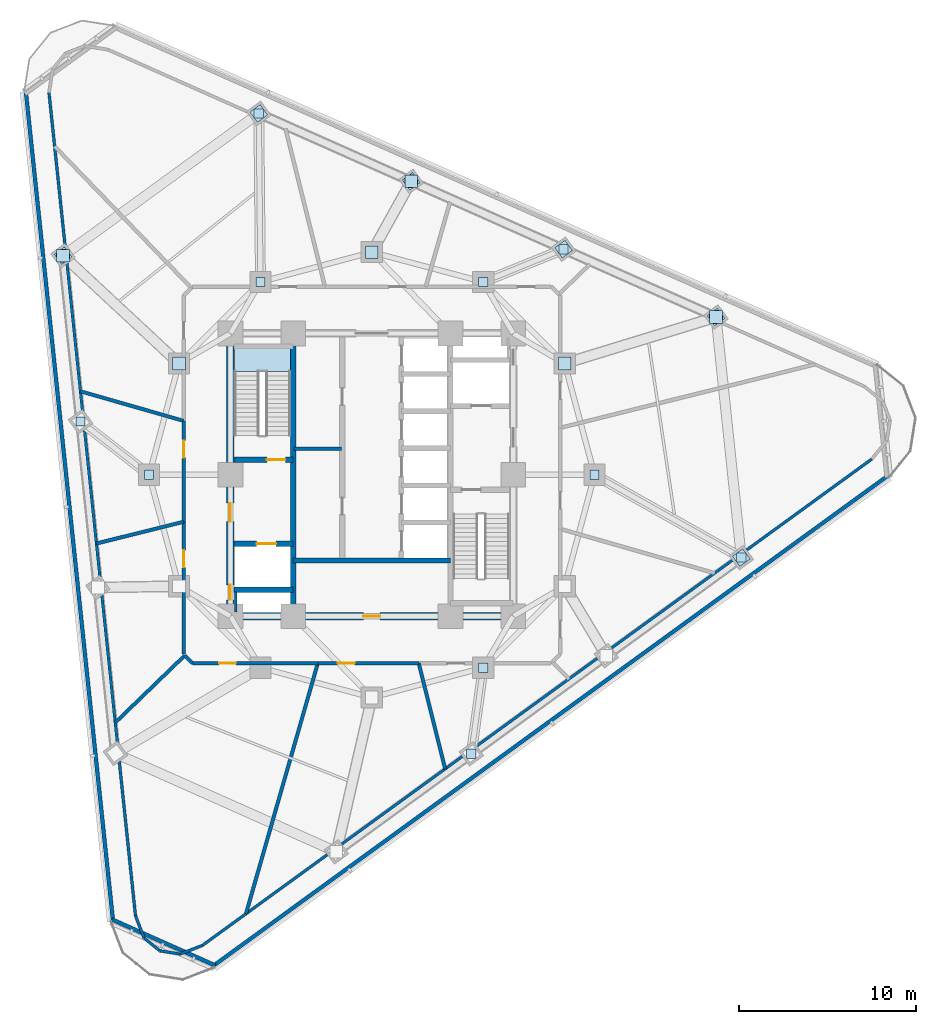
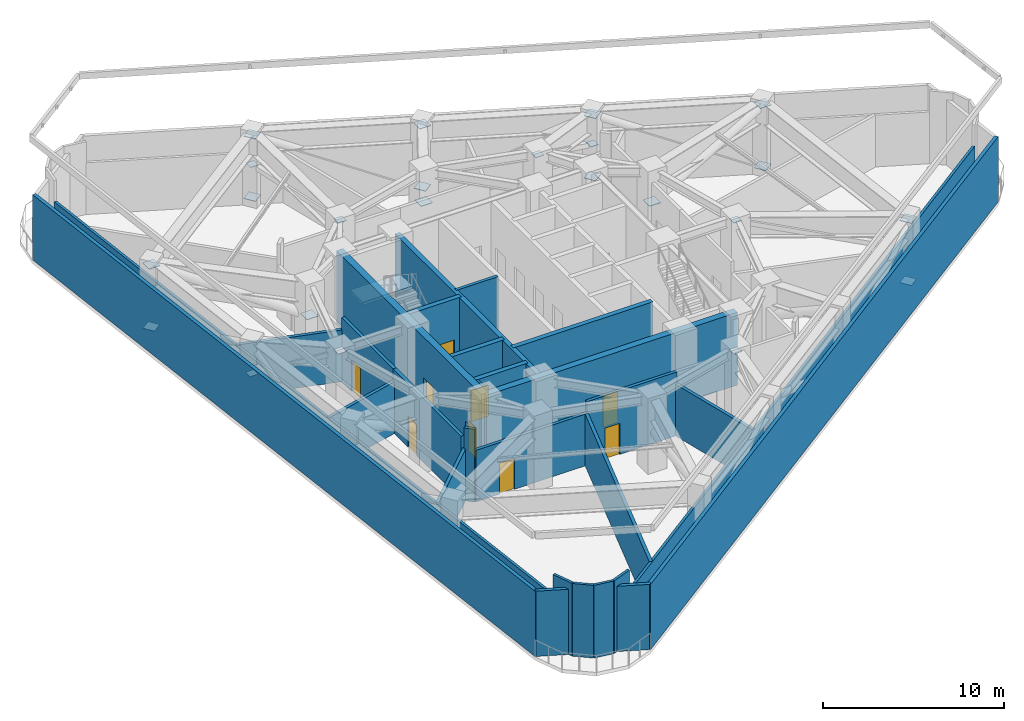
# One storey, part 3 of 10: 28 walls, 25 plates, 9 doors, 1 slab, 9 openings, 1 element without a shape of its own.
"""IFC4 building model written with IfcOpenShell, lengths in metres."""

from ifc_helpers import new_model, si_unit, direction, frame, frame_2d, origin, origin_2d, place, context, subcontext, project, spatial, polyline, rectangle, outline, extrude, material, layer, layer_set, type_object, element, fill, aggregate, save


model = new_model("IFC4")

# Units and contexts
model_context = context("Model", 3, precision=1e-05, world=origin(), true_north=direction((0.0, 1.0)))
body_context = subcontext(model_context, "Body", "Model", "MODEL_VIEW")
ifc_project = project(units=[si_unit("LENGTHUNIT", "METRE"), si_unit("AREAUNIT", "SQUARE_METRE"), si_unit("VOLUMEUNIT", "CUBIC_METRE"), si_unit("PLANEANGLEUNIT", "RADIAN"), si_unit("MASSUNIT", "GRAM", prefix="KILO")], contexts=[model_context])

# Site, building, storey
site_placement = place(None, origin())
site = spatial("IfcSite", under=ifc_project, at=site_placement, CompositionType="ELEMENT")
building_placement = place(site_placement, origin())
building = spatial("IfcBuilding", under=site, at=building_placement, Name="Terralouvre Media Tower", CompositionType="ELEMENT")
storey_placement = place(building_placement, frame((0.0, 0.0, 149.5)))
storey = spatial("IfcBuildingStorey", under=building, at=storey_placement, Name="L38", CompositionType="ELEMENT", Elevation=149.5)

# Plates
ifc_material_1 = material(Name="Structural steel S355J2", Category="steel")
ifc_layer_1 = layer(ifc_material_1, 0.028076171875, Name="Crown Rib End-Cap Node Plate ND-CR1")
ifc_layer_set_1 = layer_set([ifc_layer_1], Name="Structural steel S355J2")
plate_type_1 = type_object("IfcPlateType", Name="Crown Rib End-Cap Node Plate ND-CR1", PredefinedType="SHEET", material=ifc_layer_set_1)
for number, where, z_axis, x_axis, name in (
    (1, (6.300048828125, -10.911865234375, 4.5361328125), (0.0, 0.0, 1.0), (1.0, 0.0, 0.0), "L38 Strut Base Plate 06"),
    (2, (5.63037109375, -15.77978515625, 2.5361328125), (0.0, 0.0, 1.0), (1.0, 0.0, 0.0), "L38 Strut Top Plate 06"),
    (3, (12.60009765625, 0.0, 4.5361328125), (0.0, 0.0, 1.0), (1.0, 0.0, 0.0), "L38 Strut Base Plate 07"),
    (4, (20.904541015625, -4.682373046875, 2.5361328125), (0.0, 0.0, 1.0), (1.0, 0.0, 0.0), "L38 Strut Top Plate 07"),
    (5, (6.300048828125, 10.911865234375, 4.5361328125), (0.0, 0.0, 1.0), (1.0, 0.0, 0.0), "L38 Strut Base Plate 08"),
    (6, (10.850341796875, 12.765869140625, 2.5361328125), (0.0, 0.0, 1.0), (1.0, 0.0, 0.0), "L38 Strut Top Plate 08"),
    (7, (-6.300048828125, 10.911865234375, 4.5361328125), (0.0, 0.0, 1.0), (1.0, 0.0, 0.0), "L38 Strut Base Plate 09"),
    (8, (-6.397216796875, 20.445068359375, 2.5361328125), (0.0, 0.0, 1.0), (1.0, 0.0, 0.0), "L38 Strut Top Plate 09"),
    (9, (-12.60009765625, 0.0, 4.5361328125), (0.0, 0.0, 1.0), (1.0, 0.0, 0.0), "L38 Strut Base Plate 10"),
    (10, (-16.480712890625, 3.013916015625, 2.5361328125), (0.0, 0.0, 1.0), (1.0, 0.0, 0.0), "L38 Strut Top Plate 10"),
):
    element("IfcPlate", number, at=place(storey_placement, frame(where, z_axis=z_axis, x_axis=x_axis)), inside=storey, type_object=plate_type_1, Name=name, PredefinedType="SHEET", context=body_context, shape_type="SweptSolid", body=[
        extrude(rectangle(XDim=0.52001953125, YDim=0.52001953125, at=origin_2d()), origin(), (0.0, 0.0, 1.0), 0.028076171875),
    ])

# Stair, slab
ifc_material_2 = material(Name="Concrete C45/55", Category="concrete")
stair_type = type_object("IfcStairType", Name="Dogleg Stair Assembly ST-01", PredefinedType="HALF_TURN_STAIR", material=ifc_material_2)
stair_placement = place(storey_placement, origin())
stair = element("IfcStair", 11, at=stair_placement, inside=storey, type_object=stair_type, Name="L38 Core Pressurised Exit Stair ST-01", PredefinedType="HALF_TURN_STAIR")
ifc_material_3 = material(Name="Concrete C45/55", Category="concrete")
ifc_layer_2 = layer(ifc_material_3, 0.199951171875, Name="Reinforced Concrete Stair Half-Landing SL-LD1")
ifc_layer_set_2 = layer_set([ifc_layer_2], Name="Concrete C45/55")
slab_type = type_object("IfcSlabType", Name="Reinforced Concrete Stair Half-Landing SL-LD1", PredefinedType="LANDING", material=ifc_layer_set_2)
slab_placement = place(storey_placement, frame((0.0, 0.0, 2.35009765625)))
slab = element("IfcSlab", 12, at=slab_placement, type_object=slab_type, Name="ST-01 landing 1", PredefinedType="LANDING", context=body_context, shape_type="SweptSolid", body=[
    extrude(outline(polyline([(-4.60009765625, 5.860107421875), (-4.60009765625, 7.260009765625), (-7.780029296875, 7.260009765625), (-7.780029296875, 5.860107421875), (-4.60009765625, 5.860107421875)])), origin(), (0.0, 0.0, 1.0), 0.199951171875),
])
aggregate(stair, [slab])

# Plates
ifc_material_4 = material(Name="Structural steel S460M", Category="steel")
ifc_layer_3 = layer(ifc_material_4, 0.035888671875, Name="Welded Belt-Truss Gusset Node Plate ND-BT1")
ifc_layer_set_3 = layer_set([ifc_layer_3], Name="Structural steel S460M")
plate_type_2 = type_object("IfcPlateType", Name="Welded Belt-Truss Gusset Node Plate ND-BT1", PredefinedType="SHEET", material=ifc_layer_set_3)
for number, where, z_axis, x_axis, name in (
    (13, (20.904541015625, -4.682373046875, 0.33203125), (0.0, 0.0, 1.0), (0.809016994375, 0.587785252292, 0.0), "L38 Belt-Truss Welded Node Plate ND-10"),
    (14, (20.904541015625, -4.682373046875, 4.5322265625), (0.0, 0.0, 1.0), (0.809016994375, 0.587785252292, 0.0), "L38 Belt-Truss Welded Node Plate ND-12"),
    (15, (19.474365234375, 8.92626953125, 0.33203125), (0.0, 0.0, 1.0), (0.809016994375, 0.587785252292, 0.0), "L38 Belt-Truss Welded Node Plate ND-13"),
    (16, (10.850341796875, 12.765869140625, 0.33203125), (0.0, 0.0, 1.0), (0.809016994375, 0.587785252292, 0.0), "L38 Belt-Truss Welded Node Plate ND-14"),
    (17, (10.850341796875, 12.765869140625, 4.5322265625), (0.0, 0.0, 1.0), (0.809016994375, 0.587785252292, 0.0), "L38 Belt-Truss Welded Node Plate ND-16"),
    (18, (2.2265625, 16.60546875, 0.33203125), (0.0, 0.0, 1.0), (0.809016994375, 0.587785252292, 0.0), "L38 Belt-Truss Welded Node Plate ND-18"),
    (19, (-6.397216796875, 20.445068359375, 0.33203125), (0.0, 0.0, 1.0), (0.809016994375, 0.587785252292, 0.0), "L38 Belt-Truss Welded Node Plate ND-22"),
    (20, (-6.397216796875, 20.445068359375, 4.5322265625), (0.0, 0.0, 1.0), (0.809016994375, 0.587785252292, 0.0), "L38 Belt-Truss Welded Node Plate ND-24"),
    (21, (-17.467529296875, 12.402099609375, 0.33203125), (0.0, 0.0, 1.0), (0.809016994375, 0.587785252292, 0.0), "L38 Belt-Truss Welded Node Plate ND-25"),
    (22, (10.911865234375, 6.300048828125, 2.5322265625), (0.0, 0.0, 1.0), (1.0, 0.0, 0.0), "L38 Outrigger Welded Node Plate ND-41"),
    (23, (19.474365234375, 8.92626953125, 4.5322265625), (0.0, 0.0, 1.0), (1.0, 0.0, 0.0), "L38 Outrigger Welded Node Plate ND-42"),
    (24, (0.0, 12.60009765625, 2.5322265625), (0.0, 0.0, 1.0), (1.0, 0.0, 0.0), "L38 Outrigger Welded Node Plate ND-43"),
    (25, (2.2265625, 16.60546875, 4.5322265625), (0.0, 0.0, 1.0), (1.0, 0.0, 0.0), "L38 Outrigger Welded Node Plate ND-44"),
    (26, (-10.911865234375, 6.300048828125, 2.5322265625), (0.0, 0.0, 1.0), (1.0, 0.0, 0.0), "L38 Outrigger Welded Node Plate ND-45"),
    (27, (-17.467529296875, 12.402099609375, 4.5322265625), (0.0, 0.0, 1.0), (1.0, 0.0, 0.0), "L38 Outrigger Welded Node Plate ND-46"),
):
    element("IfcPlate", number, at=place(storey_placement, frame(where, z_axis=z_axis, x_axis=x_axis)), inside=storey, type_object=plate_type_2, Name=name, PredefinedType="SHEET", context=body_context, shape_type="SweptSolid", body=[
        extrude(rectangle(XDim=0.719970703125, YDim=0.719970703125, at=origin_2d()), origin(), (0.0, 0.0, 1.0), 0.035888671875),
    ])

# Wall
ifc_material_5 = material(Name="Concrete C50/60", Category="concrete")
ifc_layer_4 = layer(ifc_material_5, 0.300048828125, Name="Core Internal Shaft Wall CW-300")
ifc_layer_set_4 = layer_set([ifc_layer_4], Name="Concrete C50/60")
wall_type_1 = type_object("IfcWallType", Name="Core Internal Shaft Wall CW-300", PredefinedType="SHEAR", material=ifc_layer_set_4)
wall_1_placement = place(storey_placement, frame((-4.449951171875, -7.7900390625, 0.0), z_axis=(0.0, 0.0, 1.0), x_axis=(0.0, 1.0, 0.0)))
element("IfcWall", 28, at=wall_1_placement, inside=storey, type_object=wall_type_1, Name="L38 Core Shaft Wall SPW", PredefinedType="SHEAR", context=body_context, shape_type="SweptSolid", body=[
    extrude(rectangle(XDim=15.580078125, YDim=0.300048828125, at=frame_2d((7.7900390625, 0.0))), origin(), (0.0, 0.0, 1.0), 4.89990234375),
])

# Wall, opening, door
wall_2_placement = place(storey_placement, frame((-7.7900390625, 0.85009765625, 0.0), z_axis=(0.0, 0.0, 1.0), x_axis=(1.0, 0.0, 0.0)))
wall_2 = element("IfcWall", 29, at=wall_2_placement, inside=storey, type_object=wall_type_1, Name="L38 Core Shaft Wall ST1D", PredefinedType="SHEAR", context=body_context, shape_type="SweptSolid", body=[
    extrude(rectangle(XDim=3.340087890625, YDim=0.300048828125, at=frame_2d((1.669921875, 0.0))), origin(), (0.0, 0.0, 1.0), 4.89990234375),
])
opening_1_placement = place(wall_2_placement, frame((1.85009765625, 0.0, 0.0)))
opening_1 = element("IfcOpeningElement", 30, at=opening_1_placement, cuts=wall_2, Name="Opening FD-01-105X215", PredefinedType="OPENING", context=body_context, shape_type="SweptSolid", body=[
    extrude(rectangle(XDim=1.050048828125, YDim=2.14990234375, at=frame_2d((0.52490234375, 1.074951171875))), frame((0.0, 0.159912109375, 0.0), z_axis=(0.0, -1.0, 0.0), x_axis=(1.0, 0.0, 0.0)), (0.0, 0.0, 1.0), 0.320068359375),
])
ifc_material_6 = material(Name="Galvanised steel fire-resisting leaf", Category="steel")
door_type_1 = type_object("IfcDoorType", Name="Stair and Firefighting Lobby Fire Door FD-01 (1050x2150)", OperationType="NOTDEFINED", PredefinedType="DOOR", material=ifc_material_6)
door_1_placement = place(opening_1_placement, origin())
door_1 = element("IfcDoor", 31, at=door_1_placement, inside=storey, type_object=door_type_1, Name="L38 ST-01 Exit Stair Door", OperationType="SINGLE_SWING_LEFT", OverallHeight=2.14990234375, OverallWidth=1.050048828125, PredefinedType="DOOR", context=body_context, shape_type="SweptSolid", body=[
    extrude(rectangle(XDim=1.050048828125, YDim=2.14990234375, at=frame_2d((0.52490234375, 1.074951171875))), frame((0.0, 0.02490234375, 0.0), z_axis=(0.0, -1.0, 0.0), x_axis=(1.0, 0.0, 0.0)), (0.0, 0.0, 1.0), 0.050048828125),
])
fill(opening_1, door_1)

wall_3_placement = place(storey_placement, frame((-7.7900390625, -3.89990234375, 0.0), z_axis=(0.0, 0.0, 1.0), x_axis=(1.0, 0.0, 0.0)))
wall_3 = element("IfcWall", 32, at=wall_3_placement, inside=storey, type_object=wall_type_1, Name="L38 Core Shaft Wall FF1N", PredefinedType="SHEAR", context=body_context, shape_type="SweptSolid", body=[
    extrude(rectangle(XDim=3.340087890625, YDim=0.300048828125, at=frame_2d((1.669921875, 0.0))), origin(), (0.0, 0.0, 1.0), 4.89990234375),
])
opening_2_placement = place(wall_3_placement, frame((1.27001953125, 0.0, 0.0)))
opening_2 = element("IfcOpeningElement", 33, at=opening_2_placement, cuts=wall_3, Name="Opening LD-FF", PredefinedType="OPENING", context=body_context, shape_type="SweptSolid", body=[
    extrude(rectangle(XDim=1.10009765625, YDim=2.10009765625, at=frame_2d((0.550048828125, 1.050048828125))), frame((0.0, 0.159912109375, 0.0), z_axis=(0.0, -1.0, 0.0), x_axis=(1.0, 0.0, 0.0)), (0.0, 0.0, 1.0), 0.320068359375),
])
ifc_material_7 = material(Name="Stainless steel 316 handrail and balustrade", Category="steel")
door_type_2 = type_object("IfcDoorType", Name="Firefighting Lift Sliding Landing Door LD-FF", OperationType="SLIDING_TO_LEFT", PredefinedType="DOOR", material=ifc_material_7)
door_2_placement = place(opening_2_placement, origin())
door_2 = element("IfcDoor", 34, at=door_2_placement, inside=storey, type_object=door_type_2, Name="L38 Firefighting Lift FFL-01 Landing Door", OperationType="SLIDING_TO_LEFT", OverallHeight=2.10009765625, OverallWidth=1.10009765625, PredefinedType="DOOR", context=body_context, shape_type="SweptSolid", body=[
    extrude(rectangle(XDim=1.10009765625, YDim=2.10009765625, at=frame_2d((0.550048828125, 1.050048828125))), frame((0.0, 0.02490234375, 0.0), z_axis=(0.0, -1.0, 0.0), x_axis=(1.0, 0.0, 0.0)), (0.0, 0.0, 1.0), 0.050048828125),
])
fill(opening_2, door_2)

# Walls
wall_4_placement = place(storey_placement, frame((-7.7900390625, -6.5, 0.0), z_axis=(0.0, 0.0, 1.0), x_axis=(1.0, 0.0, 0.0)))
element("IfcWall", 35, at=wall_4_placement, inside=storey, type_object=wall_type_1, Name="L38 Core Shaft Wall FF1S", PredefinedType="SHEAR", context=body_context, shape_type="SweptSolid", body=[
    extrude(rectangle(XDim=3.340087890625, YDim=0.300048828125, at=frame_2d((1.669921875, 0.0))), origin(), (0.0, 0.0, 1.0), 4.89990234375),
])
wall_5_placement = place(storey_placement, frame((-4.449951171875, -4.85009765625, 0.0), z_axis=(0.0, 0.0, 1.0), x_axis=(1.0, 0.0, 0.0)))
element("IfcWall", 36, at=wall_5_placement, inside=storey, type_object=wall_type_1, Name="L38 Core Shaft Wall CSBN", PredefinedType="SHEAR", context=body_context, shape_type="SweptSolid", body=[
    extrude(rectangle(XDim=8.89990234375, YDim=0.300048828125, at=frame_2d((4.449951171875, 0.0))), origin(), (0.0, 0.0, 1.0), 4.89990234375),
])

# Wall, openings, doors
ifc_material_8 = material(Name="Concrete C60/75", Category="concrete")
ifc_layer_5 = layer(ifc_material_8, 0.419921875, Name="Core Reinforced Concrete Shear Wall CW-420")
ifc_layer_set_5 = layer_set([ifc_layer_5], Name="Concrete C60/75")
wall_type_2 = type_object("IfcWallType", Name="Core Reinforced Concrete Shear Wall CW-420", PredefinedType="SHEAR", material=ifc_layer_set_5)
wall_6_placement = place(storey_placement, frame((-8.0, -8.0, 0.0), z_axis=(0.0, 0.0, 1.0), x_axis=(0.0, 1.0, 0.0)))
wall_6 = element("IfcWall", 37, at=wall_6_placement, inside=storey, type_object=wall_type_2, Name="L38 W Core Shear Wall", PredefinedType="SHEAR", context=body_context, shape_type="SweptSolid", body=[
    extrude(rectangle(XDim=16.0, YDim=0.419921875, at=frame_2d((8.0, 0.0))), origin(), (0.0, 0.0, 1.0), 4.89990234375),
])
opening_3_placement = place(wall_6_placement, frame((0.921630859375, 0.0, 0.0)))
opening_3 = element("IfcOpeningElement", 38, at=opening_3_placement, cuts=wall_6, Name="Opening TD-R1", PredefinedType="OPENING", context=body_context, shape_type="SweptSolid", body=[
    extrude(rectangle(XDim=0.85009765625, YDim=2.02001953125, at=frame_2d((0.425048828125, 1.010009765625))), frame((0.0, 0.219970703125, 0.0), z_axis=(0.0, -1.0, 0.0), x_axis=(1.0, 0.0, 0.0)), (0.0, 0.0, 1.0), 0.43994140625),
])
opening_4_placement = place(wall_6_placement, frame((5.35009765625, 0.0, 0.0)))
opening_4 = element("IfcOpeningElement", 39, at=opening_4_placement, cuts=wall_6, Name="Opening FD-01-105X215", PredefinedType="OPENING", context=body_context, shape_type="SweptSolid", body=[
    extrude(rectangle(XDim=1.050048828125, YDim=2.14990234375, at=frame_2d((0.52490234375, 1.074951171875))), frame((0.0, 0.219970703125, 0.0), z_axis=(0.0, -1.0, 0.0), x_axis=(1.0, 0.0, 0.0)), (0.0, 0.0, 1.0), 0.43994140625),
])
ifc_material_9 = material(Name="Galvanised steel fire-resisting leaf", Category="steel")
door_type_3 = type_object("IfcDoorType", Name="Riser Inspection Access Trapdoor TD-R1", OperationType="NOTDEFINED", PredefinedType="TRAPDOOR", material=ifc_material_9)
door_3_placement = place(opening_3_placement, origin())
door_3 = element("IfcDoor", 40, at=door_3_placement, inside=storey, type_object=door_type_3, Name="L38 Wet Riser Access Trapdoor", OperationType="SINGLE_SWING_LEFT", OverallHeight=2.02001953125, OverallWidth=0.85009765625, PredefinedType="TRAPDOOR", context=body_context, shape_type="SweptSolid", body=[
    extrude(rectangle(XDim=0.85009765625, YDim=2.02001953125, at=frame_2d((0.425048828125, 1.010009765625))), frame((0.0, 0.02490234375, 0.0), z_axis=(0.0, -1.0, 0.0), x_axis=(1.0, 0.0, 0.0)), (0.0, 0.0, 1.0), 0.050048828125),
])
fill(opening_3, door_3)
door_4_placement = place(opening_4_placement, origin())
door_4 = element("IfcDoor", 41, at=door_4_placement, inside=storey, type_object=door_type_1, Name="L38 West Firefighting Lobby Entry Door", OperationType="SINGLE_SWING_RIGHT", OverallHeight=2.14990234375, OverallWidth=1.050048828125, PredefinedType="DOOR", context=body_context, shape_type="SweptSolid", body=[
    extrude(rectangle(XDim=1.050048828125, YDim=2.14990234375, at=frame_2d((0.52490234375, 1.074951171875))), frame((0.0, 0.02490234375, 0.0), z_axis=(0.0, -1.0, 0.0), x_axis=(1.0, 0.0, 0.0)), (0.0, 0.0, 1.0), 0.050048828125),
])
fill(opening_4, door_4)

# Wall, opening, door
wall_7_placement = place(storey_placement, frame((-8.0, -8.0, 0.0), z_axis=(0.0, 0.0, 1.0), x_axis=(1.0, 0.0, 0.0)))
wall_7 = element("IfcWall", 42, at=wall_7_placement, inside=storey, type_object=wall_type_2, Name="L38 S Core Shear Wall", PredefinedType="SHEAR", context=body_context, shape_type="SweptSolid", body=[
    extrude(rectangle(XDim=16.0, YDim=0.419921875, at=frame_2d((8.0, 0.0))), origin(), (0.0, 0.0, 1.0), 4.89990234375),
])
opening_5_placement = place(wall_7_placement, frame((7.52001953125, 0.0, 0.0)))
opening_5 = element("IfcOpeningElement", 43, at=opening_5_placement, cuts=wall_7, Name="Opening FD-02-95X210", PredefinedType="OPENING", context=body_context, shape_type="SweptSolid", body=[
    extrude(rectangle(XDim=0.949951171875, YDim=2.10009765625, at=frame_2d((0.47509765625, 1.050048828125))), frame((0.0, 0.219970703125, 0.0), z_axis=(0.0, -1.0, 0.0), x_axis=(1.0, 0.0, 0.0)), (0.0, 0.0, 1.0), 0.43994140625),
])
ifc_material_10 = material(Name="Galvanised steel fire-resisting leaf", Category="steel")
door_type_4 = type_object("IfcDoorType", Name="Plant and Riser Fire Door FD-02 (950x2100)", OperationType="NOTDEFINED", PredefinedType="DOOR", material=ifc_material_10)
door_5_placement = place(opening_5_placement, origin())
door_5 = element("IfcDoor", 44, at=door_5_placement, inside=storey, type_object=door_type_4, Name="L38 Core Switchgear Plant Door", OperationType="SINGLE_SWING_LEFT", OverallHeight=2.10009765625, OverallWidth=0.949951171875, PredefinedType="DOOR", context=body_context, shape_type="SweptSolid", body=[
    extrude(rectangle(XDim=0.949951171875, YDim=2.10009765625, at=frame_2d((0.47509765625, 1.050048828125))), frame((0.0, 0.02490234375, 0.0), z_axis=(0.0, -1.0, 0.0), x_axis=(1.0, 0.0, 0.0)), (0.0, 0.0, 1.0), 0.050048828125),
])
fill(opening_5, door_5)

# Walls
ifc_material_11 = material(Name="Fire-rated gypsum board drywall partition")
ifc_layer_6 = layer(ifc_material_11, 0.199951171875, Name="Fire-Rated Shaft and Lobby Partition FW-200")
ifc_layer_set_6 = layer_set([ifc_layer_6], Name="Fire-rated gypsum board drywall partition")
wall_type_3 = type_object("IfcWallType", Name="Fire-Rated Shaft and Lobby Partition FW-200", PredefinedType="SOLIDWALL", material=ifc_layer_set_6)
wall_8_placement = place(storey_placement, frame((-4.39990234375, 1.469970703125, 0.0), z_axis=(0.0, 0.0, 1.0), x_axis=(1.0, 0.0, 0.0)))
element("IfcWall", 45, at=wall_8_placement, inside=storey, type_object=wall_type_3, Name="L38 Core West Sub-Partition 1", PredefinedType="SOLIDWALL", context=body_context, shape_type="SweptSolid", body=[
    extrude(rectangle(XDim=2.679931640625, YDim=0.199951171875, at=frame_2d((1.33984375, 0.0))), origin(), (0.0, 0.0, 1.0), 4.89990234375),
])
for number, where, z_axis, x_axis, name in (
    (46, (-13.37109375, -24.947265625, 0.0), (0.0, 0.0, 1.0), (-0.104525741645, 0.994522181419, 0.0), "L38 Belt-Truss Acoustic Plenum Liner Wall 01"),
    (47, (28.29052734375, 0.89404296875, 0.0), (0.0, 0.0, 1.0), (-0.80901669073, -0.587785670223, 0.0), "L38 Belt-Truss Acoustic Plenum Liner Wall 11"),
):
    element("IfcWall", number, at=place(storey_placement, frame(where, z_axis=z_axis, x_axis=x_axis)), inside=storey, type_object=wall_type_3, Name=name, PredefinedType="SOLIDWALL", context=body_context, shape_type="SweptSolid", body=[
        extrude(rectangle(XDim=46.826171875, YDim=0.159912109375, at=frame_2d((23.4130859375, 0.0))), origin(), (0.0, 0.0, 1.0), 3.485107421875),
    ])
wall_9_placement = place(storey_placement, frame((-9.592529296875, -26.629638671875, 0.0), z_axis=(0.0, 0.0, 1.0), x_axis=(-0.933606800997, -0.358299234065, 0.0)))
element("IfcWall", 48, at=wall_9_placement, inside=storey, type_object=wall_type_3, Name="L38 Belt-Truss Acoustic Plenum Liner Wall 12", PredefinedType="SOLIDWALL", context=body_context, shape_type="SweptSolid", body=[
    extrude(rectangle(XDim=1.347900390625, YDim=0.159912109375, at=frame_2d((0.673828125, 0.0))), origin(), (0.0, 0.0, 1.0), 4.89990234375),
])
for number, where, z_axis, x_axis, name in (
    (49, (-10.850830078125, -27.112548828125, 0.0), (0.0, 0.0, 1.0), (-0.987709746882, 0.156299251166, 0.0), "L38 Belt-Truss Acoustic Plenum Liner Wall 13"),
    (50, (-11.990966796875, -26.93212890625, 0.0), (0.0, 0.0, 1.0), (-0.777057671699, 0.629429404185, 0.0), "L38 Belt-Truss Acoustic Plenum Liner Wall 14"),
):
    element("IfcWall", number, at=place(storey_placement, frame(where, z_axis=z_axis, x_axis=x_axis)), inside=storey, type_object=wall_type_3, Name=name, PredefinedType="SOLIDWALL", context=body_context, shape_type="SweptSolid", body=[
        extrude(rectangle(XDim=1.154296875, YDim=0.159912109375, at=frame_2d((0.5771484375, 0.0))), origin(), (0.0, 0.0, 1.0), 4.89990234375),
    ])
wall_10_placement = place(storey_placement, frame((-12.887939453125, -26.20556640625, 0.0), z_axis=(0.0, 0.0, 1.0), x_axis=(-0.358457106142, 0.933546197602, 0.0)))
element("IfcWall", 51, at=wall_10_placement, inside=storey, type_object=wall_type_3, Name="L38 Belt-Truss Acoustic Plenum Liner Wall 15", PredefinedType="SOLIDWALL", context=body_context, shape_type="SweptSolid", body=[
    extrude(rectangle(XDim=1.347900390625, YDim=0.159912109375, at=frame_2d((0.673828125, 0.0))), origin(), (0.0, 0.0, 1.0), 4.89990234375),
])

# Wall, opening, door
wall_11_placement = place(storey_placement, frame((-10.64990234375, -2.655029296875, 0.0), z_axis=(0.0, 0.0, 1.0), x_axis=(0.0, -1.0, 0.0)))
wall_11 = element("IfcWall", 52, at=wall_11_placement, inside=storey, type_object=wall_type_3, Name="L38 Interior Partition 001", PredefinedType="SOLIDWALL", context=body_context, shape_type="SweptSolid", body=[
    extrude(rectangle(XDim=7.494873046875, YDim=0.199951171875, at=frame_2d((3.74755859375, 0.0))), origin(), (0.0, 0.0, 1.0), 4.284912109375),
])
opening_6_placement = place(wall_11_placement, frame((1.62353515625, 0.0, 0.0)))
opening_6 = element("IfcOpeningElement", 53, at=opening_6_placement, cuts=wall_11, Name="Opening FD-02-95X210", PredefinedType="OPENING", context=body_context, shape_type="SweptSolid", body=[
    extrude(rectangle(XDim=0.949951171875, YDim=2.10009765625, at=frame_2d((0.47509765625, 1.050048828125))), frame((0.0, 0.10986328125, 0.0), z_axis=(0.0, -1.0, 0.0), x_axis=(1.0, 0.0, 0.0)), (0.0, 0.0, 1.0), 0.219970703125),
])
door_6_placement = place(opening_6_placement, origin())
door_6 = element("IfcDoor", 54, at=door_6_placement, inside=storey, type_object=door_type_4, Name="L38 Designated Pressurised Refuge Holding Area West Door", OperationType="SINGLE_SWING_RIGHT", OverallHeight=2.10009765625, OverallWidth=0.949951171875, PredefinedType="DOOR", context=body_context, shape_type="SweptSolid", body=[
    extrude(rectangle(XDim=0.949951171875, YDim=2.10009765625, at=frame_2d((0.47509765625, 1.050048828125))), frame((0.0, 0.02490234375, 0.0), z_axis=(0.0, -1.0, 0.0), x_axis=(1.0, 0.0, 0.0)), (0.0, 0.0, 1.0), 0.050048828125),
])
fill(opening_6, door_6)

# Wall
wall_12_placement = place(storey_placement, frame((-10.58203125, -10.218017578125, 0.0), z_axis=(0.0, 0.0, 1.0), x_axis=(0.70730655707, -0.706906948845, 0.0)))
element("IfcWall", 55, at=wall_12_placement, inside=storey, type_object=wall_type_3, Name="L38 Interior Partition 002", PredefinedType="SOLIDWALL", context=body_context, shape_type="SweptSolid", body=[
    extrude(rectangle(XDim=0.61083984375, YDim=0.199951171875, at=frame_2d((0.305419921875, 0.0))), origin(), (0.0, 0.0, 1.0), 4.89990234375),
])

# Wall, opening, door
wall_13_placement = place(storey_placement, frame((-10.14990234375, -10.64990234375, 0.0), z_axis=(0.0, 0.0, 1.0), x_axis=(1.0, 0.0, 0.0)))
wall_13 = element("IfcWall", 56, at=wall_13_placement, inside=storey, type_object=wall_type_3, Name="L38 Interior Partition 003", PredefinedType="SOLIDWALL", context=body_context, shape_type="SweptSolid", body=[
    extrude(rectangle(XDim=7.095947265625, YDim=0.199951171875, at=frame_2d((3.5478515625, 0.0))), origin(), (0.0, 0.0, 1.0), 3.485107421875),
])
opening_7_placement = place(wall_13_placement, frame((1.511962890625, 0.0, 0.0)))
opening_7 = element("IfcOpeningElement", 57, at=opening_7_placement, cuts=wall_13, Name="Opening FD-02-95X210", PredefinedType="OPENING", context=body_context, shape_type="SweptSolid", body=[
    extrude(rectangle(XDim=0.949951171875, YDim=2.10009765625, at=frame_2d((0.47509765625, 1.050048828125))), frame((0.0, 0.10986328125, 0.0), z_axis=(0.0, -1.0, 0.0), x_axis=(1.0, 0.0, 0.0)), (0.0, 0.0, 1.0), 0.219970703125),
])
door_7_placement = place(opening_7_placement, origin())
door_7 = element("IfcDoor", 58, at=door_7_placement, inside=storey, type_object=door_type_4, Name="L38 Mechanical AHU and Smoke-Extract Plant Room Door", OperationType="SINGLE_SWING_LEFT", OverallHeight=2.10009765625, OverallWidth=0.949951171875, PredefinedType="DOOR", context=body_context, shape_type="SweptSolid", body=[
    extrude(rectangle(XDim=0.949951171875, YDim=2.10009765625, at=frame_2d((0.47509765625, 1.050048828125))), frame((0.0, 0.02490234375, 0.0), z_axis=(0.0, -1.0, 0.0), x_axis=(1.0, 0.0, 0.0)), (0.0, 0.0, 1.0), 0.050048828125),
])
fill(opening_7, door_7)

wall_14_placement = place(storey_placement, frame((-3.053955078125, -10.64990234375, 0.0), z_axis=(0.0, 0.0, 1.0), x_axis=(1.0, 0.0, 0.0)))
wall_14 = element("IfcWall", 59, at=wall_14_placement, inside=storey, type_object=wall_type_3, Name="L38 Interior Partition 004", PredefinedType="SOLIDWALL", context=body_context, shape_type="SweptSolid", body=[
    extrude(rectangle(XDim=5.708984375, YDim=0.199951171875, at=frame_2d((2.8544921875, 0.0))), origin(), (0.0, 0.0, 1.0), 4.284912109375),
])
opening_8_placement = place(wall_14_placement, frame((1.12353515625, 0.0, 0.0)))
opening_8 = element("IfcOpeningElement", 60, at=opening_8_placement, cuts=wall_14, Name="Opening FD-02-95X210", PredefinedType="OPENING", context=body_context, shape_type="SweptSolid", body=[
    extrude(rectangle(XDim=0.949951171875, YDim=2.10009765625, at=frame_2d((0.47509765625, 1.050048828125))), frame((0.0, 0.10986328125, 0.0), z_axis=(0.0, -1.0, 0.0), x_axis=(1.0, 0.0, 0.0)), (0.0, 0.0, 1.0), 0.219970703125),
])
door_8_placement = place(opening_8_placement, origin())
door_8 = element("IfcDoor", 61, at=door_8_placement, inside=storey, type_object=door_type_4, Name="L38 Fire and Domestic Booster Pump Plant Room Door", OperationType="SINGLE_SWING_RIGHT", OverallHeight=2.10009765625, OverallWidth=0.949951171875, PredefinedType="DOOR", context=body_context, shape_type="SweptSolid", body=[
    extrude(rectangle(XDim=0.949951171875, YDim=2.10009765625, at=frame_2d((0.47509765625, 1.050048828125))), frame((0.0, 0.02490234375, 0.0), z_axis=(0.0, -1.0, 0.0), x_axis=(1.0, 0.0, 0.0)), (0.0, 0.0, 1.0), 0.050048828125),
])
fill(opening_8, door_8)

wall_15_placement = place(storey_placement, frame((-10.64990234375, 3.053955078125, 0.0), z_axis=(0.0, 0.0, 1.0), x_axis=(0.0, -1.0, 0.0)))
wall_15 = element("IfcWall", 62, at=wall_15_placement, inside=storey, type_object=wall_type_3, Name="L38 Interior Partition 016", PredefinedType="SOLIDWALL", context=body_context, shape_type="SweptSolid", body=[
    extrude(rectangle(XDim=5.708984375, YDim=0.199951171875, at=frame_2d((2.8544921875, 0.0))), origin(), (0.0, 0.0, 1.0), 4.284912109375),
])
opening_9_placement = place(wall_15_placement, frame((1.12353515625, 0.0, 0.0)))
opening_9 = element("IfcOpeningElement", 63, at=opening_9_placement, cuts=wall_15, Name="Opening FD-02-95X210", PredefinedType="OPENING", context=body_context, shape_type="SweptSolid", body=[
    extrude(rectangle(XDim=0.949951171875, YDim=2.10009765625, at=frame_2d((0.47509765625, 1.050048828125))), frame((0.0, 0.10986328125, 0.0), z_axis=(0.0, -1.0, 0.0), x_axis=(1.0, 0.0, 0.0)), (0.0, 0.0, 1.0), 0.219970703125),
])
door_9_placement = place(opening_9_placement, origin())
door_9 = element("IfcDoor", 64, at=door_9_placement, inside=storey, type_object=door_type_4, Name="L38 Standby UPS Inverter Mechanical Plant Room Door", OperationType="SINGLE_SWING_LEFT", OverallHeight=2.10009765625, OverallWidth=0.949951171875, PredefinedType="DOOR", context=body_context, shape_type="SweptSolid", body=[
    extrude(rectangle(XDim=0.949951171875, YDim=2.10009765625, at=frame_2d((0.47509765625, 1.050048828125))), frame((0.0, 0.02490234375, 0.0), z_axis=(0.0, -1.0, 0.0), x_axis=(1.0, 0.0, 0.0)), (0.0, 0.0, 1.0), 0.050048828125),
])
fill(opening_9, door_9)

# Walls
wall_16_placement = place(storey_placement, frame((-14.519287109375, -14.021484375, 0.0), z_axis=(0.0, 0.0, 1.0), x_axis=(0.719220851496, 0.69478152449, 0.0)))
element("IfcWall", 65, at=wall_16_placement, inside=storey, type_object=wall_type_3, Name="L38 Interior Partition 017", PredefinedType="SOLIDWALL", context=body_context, shape_type="SweptSolid", body=[
    extrude(rectangle(XDim=5.474365234375, YDim=0.199951171875, at=frame_2d((2.7373046875, 0.0))), origin(), (0.0, 0.0, 1.0), 3.485107421875),
])
wall_17_placement = place(storey_placement, frame((-10.64990234375, -2.655029296875, 0.0), z_axis=(0.0, 0.0, 1.0), x_axis=(-0.970272243422, -0.242016060717, 0.0)))
element("IfcWall", 66, at=wall_17_placement, inside=storey, type_object=wall_type_3, Name="L38 Interior Partition 018", PredefinedType="SOLIDWALL", context=body_context, shape_type="SweptSolid", body=[
    extrude(rectangle(XDim=5.086181640625, YDim=0.199951171875, at=frame_2d((2.54296875, 0.0))), origin(), (0.0, 0.0, 1.0), 3.485107421875),
])
wall_18_placement = place(storey_placement, frame((-7.12109375, -24.833984375, 0.0), z_axis=(0.0, 0.0, 1.0), x_axis=(0.275632258299, 0.961263157613, 0.0)))
element("IfcWall", 67, at=wall_18_placement, inside=storey, type_object=wall_type_3, Name="L38 Interior Partition 019", PredefinedType="SOLIDWALL", context=body_context, shape_type="SweptSolid", body=[
    extrude(rectangle(XDim=14.755615234375, YDim=0.199951171875, at=frame_2d((7.3779296875, 0.0))), origin(), (0.0, 0.0, 1.0), 3.485107421875),
])
wall_19_placement = place(storey_placement, frame((4.14990234375, -16.64501953125, 0.0), z_axis=(0.0, 0.0, 1.0), x_axis=(-0.241940554085, 0.970291074002, 0.0)))
element("IfcWall", 68, at=wall_19_placement, inside=storey, type_object=wall_type_3, Name="L38 Interior Partition 020", PredefinedType="SOLIDWALL", context=body_context, shape_type="SweptSolid", body=[
    extrude(rectangle(XDim=6.1787109375, YDim=0.199951171875, at=frame_2d((3.08935546875, 0.0))), origin(), (0.0, 0.0, 1.0), 3.485107421875),
])
wall_20_placement = place(storey_placement, frame((-16.489990234375, 4.72802734375, 0.0), z_axis=(0.0, 0.0, 1.0), x_axis=(0.961285504411, -0.275554312267, 0.0)))
element("IfcWall", 69, at=wall_20_placement, inside=storey, type_object=wall_type_3, Name="L38 Interior Partition 028", PredefinedType="SOLIDWALL", context=body_context, shape_type="SweptSolid", body=[
    extrude(rectangle(XDim=6.0751953125, YDim=0.199951171875, at=frame_2d((3.03759765625, 0.0))), origin(), (0.0, 0.0, 1.0), 3.485107421875),
])
ifc_material_12 = material(Name="Fire-rated gypsum board drywall partition")
ifc_layer_7 = layer(ifc_material_12, 0.1201171875, Name="Low Technical Plinth Furring Wall PT-PL120")
ifc_layer_set_7 = layer_set([ifc_layer_7], Name="Fire-rated gypsum board drywall partition")
wall_type_4 = type_object("IfcWallType", Name="Low Technical Plinth Furring Wall PT-PL120", PredefinedType="PLUMBINGWALL", material=ifc_layer_set_7)
wall_21_placement = place(storey_placement, frame((-7.699951171875, -7.75, 0.0), z_axis=(0.0, 0.0, 1.0), x_axis=(0.0, 1.0, 0.0)))
element("IfcWall", 70, at=wall_21_placement, inside=storey, type_object=wall_type_4, Name="L38 Wet Riser Plumbing Furring Wall 1", PredefinedType="PLUMBINGWALL", context=body_context, shape_type="SweptSolid", body=[
    extrude(rectangle(XDim=1.1298828125, YDim=0.1201171875, at=frame_2d((0.56494140625, 0.0))), origin(), (0.0, 0.0, 1.0), 4.89990234375),
])
ifc_material_13 = material(Name="Kiln-fired architectural terracotta rainscreen cladding", Category="masonry")
ifc_layer_8 = layer(ifc_material_13, 0.260009765625, Name="Recessed Sky-Garden Acoustic Wall EW-SG260")
ifc_layer_set_8 = layer_set([ifc_layer_8], Name="Kiln-fired architectural terracotta rainscreen cladding")
wall_type_5 = type_object("IfcWallType", Name="Recessed Sky-Garden Acoustic Wall EW-SG260", PredefinedType="SOLIDWALL", material=ifc_layer_set_8)
wall_22_placement = place(storey_placement, frame((-8.979736328125, -27.791259765625, 0.0), z_axis=(0.0, 0.0, 1.0), x_axis=(0.809017151105, 0.587785036572, 0.0)))
element("IfcWall", 71, at=wall_22_placement, inside=storey, type_object=wall_type_5, Name="L38 Facade Curtain Wall F0 Acoustic Plant Plinth Wall", PredefinedType="SOLIDWALL", context=body_context, shape_type="SweptSolid", body=[
    extrude(rectangle(XDim=47.199951171875, YDim=0.219970703125, at=frame_2d((23.60009765625, 0.0))), origin(), (0.0, 0.0, 1.0), 4.39990234375),
])
wall_23_placement = place(storey_placement, frame((-19.578125, 21.67236328125, 0.0), z_axis=(0.0, 0.0, 1.0), x_axis=(0.104529964142, -0.994521737619, 0.0)))
element("IfcWall", 72, at=wall_23_placement, inside=storey, type_object=wall_type_5, Name="L38 Facade Curtain Wall F2 Acoustic Plant Plinth Wall", PredefinedType="SOLIDWALL", context=body_context, shape_type="SweptSolid", body=[
    extrude(rectangle(XDim=47.2001953125, YDim=0.219970703125, at=frame_2d((23.60009765625, 0.0))), origin(), (0.0, 0.0, 1.0), 4.39990234375),
])
wall_24_placement = place(storey_placement, frame((-14.706787109375, -25.15380859375, 0.0), z_axis=(0.0, 0.0, 1.0), x_axis=(0.913539567119, -0.40674987315, 0.0)))
element("IfcWall", 73, at=wall_24_placement, inside=storey, type_object=wall_type_5, Name="L38 Rounded Wind-Corner Curtain Wall C0 Acoustic Plant Plinth Wall", PredefinedType="SOLIDWALL", context=body_context, shape_type="SweptSolid", body=[
    extrude(rectangle(XDim=6.40869140625, YDim=0.219970703125, at=frame_2d((3.204345703125, 0.0))), origin(), (0.0, 0.0, 1.0), 4.39990234375),
])

save(model, "model.ifc")
